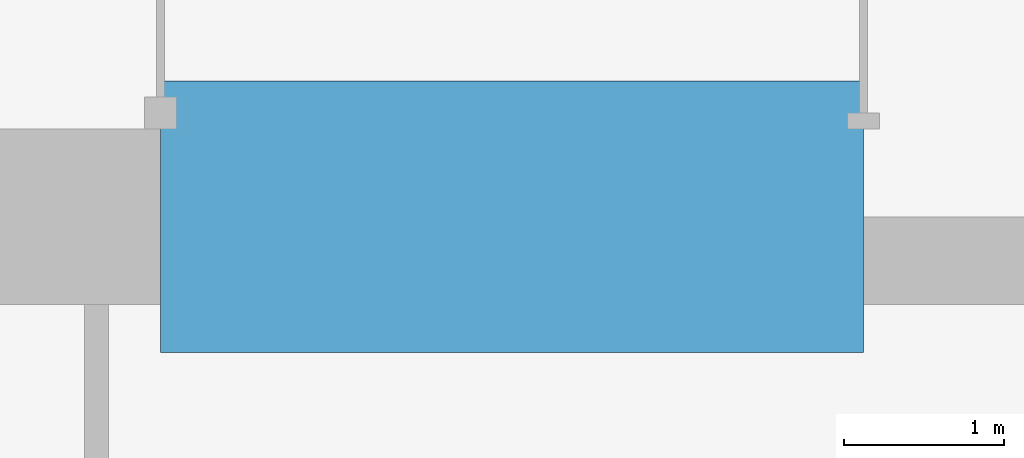
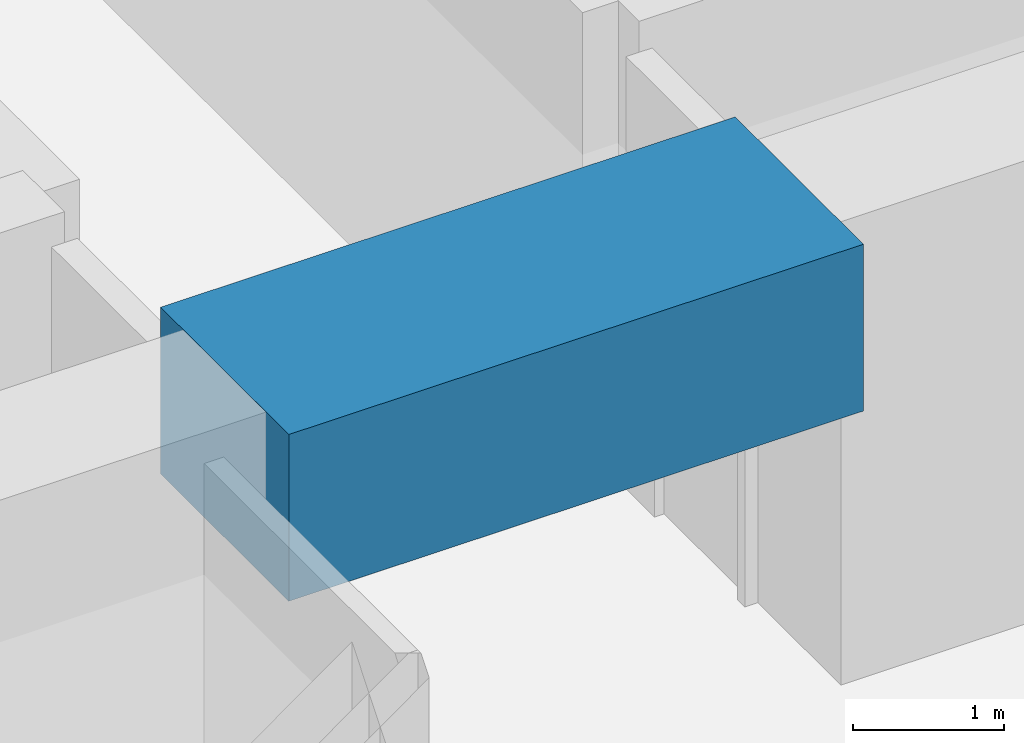
# One storey, part 7 of 35: 1 beam.
"""IFC4 building model written with IfcOpenShell, lengths in metres."""

from ifc_helpers import new_model, si_unit, direction, frame, origin, origin_2d, place, context, subcontext, project, spatial, rectangle, extrude, material, material_profile, profile_set, type_object, element, save


model = new_model("IFC4")

# Units and contexts
model_context = context("Model", 3, precision=1e-05, world=origin(), true_north=direction((0.0, 1.0)))
body_context = subcontext(model_context, "Body", "Model", "MODEL_VIEW")
ifc_project = project(units=[si_unit("LENGTHUNIT", "METRE"), si_unit("AREAUNIT", "SQUARE_METRE"), si_unit("VOLUMEUNIT", "CUBIC_METRE"), si_unit("PLANEANGLEUNIT", "RADIAN"), si_unit("MASSUNIT", "GRAM", prefix="KILO")], contexts=[model_context])

# Site, building, storey
site_placement = place(None, origin())
site = spatial("IfcSite", under=ifc_project, at=site_placement, CompositionType="ELEMENT")
building_placement = place(site_placement, origin())
building = spatial("IfcBuilding", under=site, at=building_placement, Name="Rekha Terrace Tower", CompositionType="ELEMENT")
storey_placement = place(building_placement, frame((0.0, 0.0, 25.39990234375)))
storey = spatial("IfcBuildingStorey", under=building, at=storey_placement, Name="L05", CompositionType="ELEMENT", Elevation=25.39990234375)

# Beam
ifc_material = material(Name="Concrete M70", Category="concrete")
ifc_material_profile = material_profile(ifc_material, rectangle(XDim=1.699951171875, YDim=1.35009765625, at=origin_2d()), Name="RC 1700x1350")
ifc_profile_set = profile_set([ifc_material_profile], Name="Concrete M70")
beam_type = type_object("IfcBeamType", Name="LB1A 1700x1350 diagonally reinforced coupling beam", PredefinedType="LINTEL", material=ifc_profile_set)
beam_placement = place(storey_placement, frame((35.60009765625, 21.0, 3.0751953125), z_axis=(1.0, 0.0, 0.0), x_axis=(0.0, 1.0, 0.0)))
element("IfcBeam", 1, at=beam_placement, inside=storey, type_object=beam_type, Name="Coupling beam LB1A S L05", PredefinedType="LINTEL", context=body_context, shape_type="SweptSolid", body=[
    extrude(rectangle(XDim=1.699951171875, YDim=1.35009765625, at=origin_2d()), origin(), (0.0, 0.0, 1.0), 4.39990234375),
])

save(model, "model.ifc")
